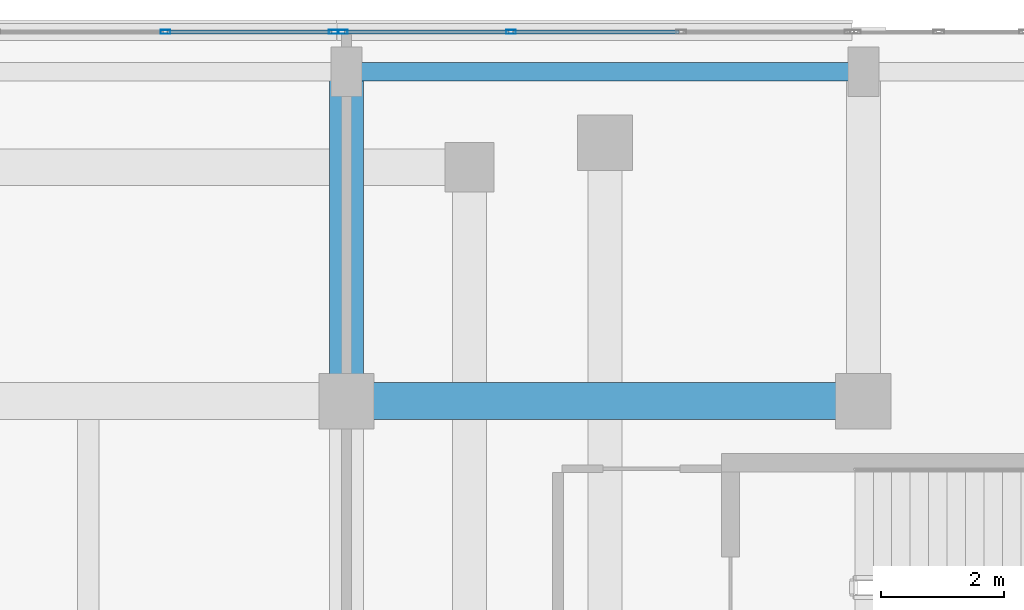
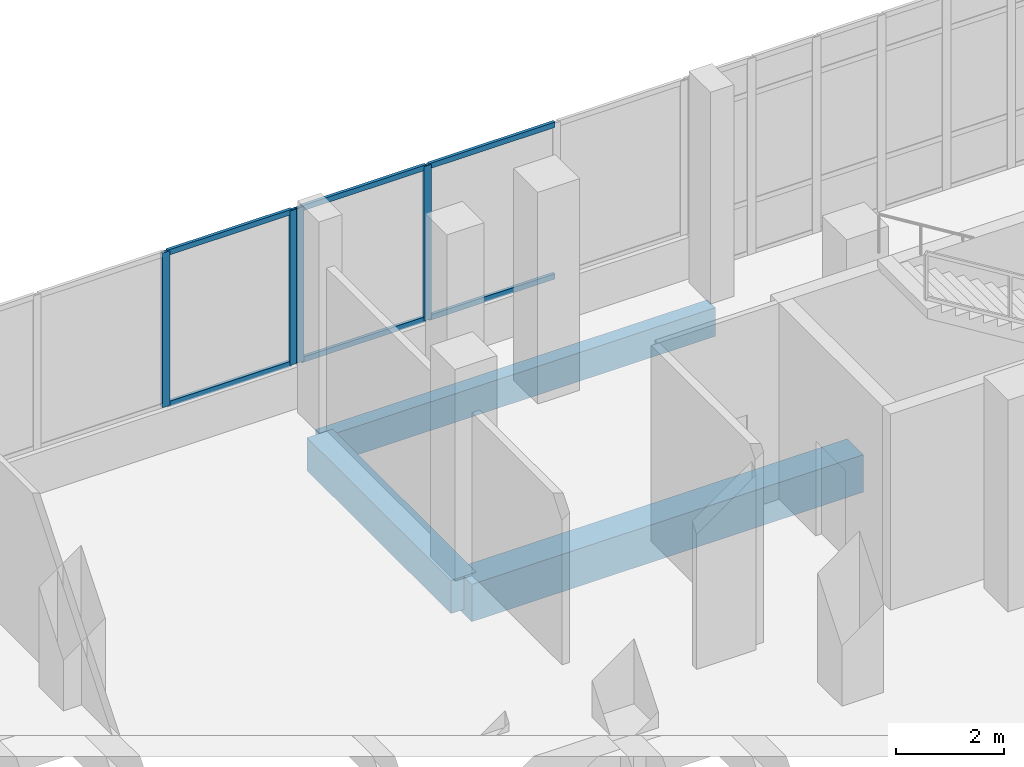
# One storey, part 93 of 168: 10 members, 3 beams, 2 elements without a shape of their own.
"""IFC4 building model written with IfcOpenShell, lengths in metres."""

from ifc_helpers import new_model, si_unit, direction, frame, origin, origin_2d, place, context, subcontext, project, spatial, rectangle, hollow_rectangle, extrude, material, material_profile, profile_set, type_object, element, aggregate, save


model = new_model("IFC4")

# Units and contexts
model_context = context("Model", 3, precision=1e-05, world=origin(), true_north=direction((0.0, 1.0)))
body_context = subcontext(model_context, "Body", "Model", "MODEL_VIEW")
ifc_project = project(units=[si_unit("LENGTHUNIT", "METRE"), si_unit("AREAUNIT", "SQUARE_METRE"), si_unit("VOLUMEUNIT", "CUBIC_METRE"), si_unit("PLANEANGLEUNIT", "RADIAN"), si_unit("MASSUNIT", "GRAM", prefix="KILO")], contexts=[model_context])

# Site, building, storey
site_placement = place(None, origin())
site = spatial("IfcSite", under=ifc_project, at=site_placement, CompositionType="ELEMENT")
building_placement = place(site_placement, origin())
building = spatial("IfcBuilding", under=site, at=building_placement, Name="Selatvlak General Hospital", CompositionType="ELEMENT")
storey_placement = place(building_placement, frame((0.0, 0.0, 5.39990234375)))
storey = spatial("IfcBuildingStorey", under=building, at=storey_placement, Name="L01", CompositionType="ELEMENT", Elevation=5.39990234375)

# Beams
ifc_material_1 = material(Name="Concrete C40/50", Category="concrete")
ifc_material_profile_1 = material_profile(ifc_material_1, rectangle(XDim=0.60009765625, YDim=0.85009765625, at=origin_2d()), Name="RC-BM 600x850")
ifc_profile_set_1 = profile_set([ifc_material_profile_1], Name="Concrete C40/50")
beam_type_1 = type_object("IfcBeamType", Name="BM-G01", PredefinedType="BEAM", material=ifc_profile_set_1)
beam_1_placement = place(storey_placement, frame((81.60009765625, 114.0, -0.744873046875), z_axis=(1.0, 0.0, 0.0), x_axis=(0.0, 1.0, 0.0)))
element("IfcBeam", 1, at=beam_1_placement, inside=storey, type_object=beam_type_1, Name="Beam BMR-L01-0517", PredefinedType="BEAM", context=body_context, shape_type="SweptSolid", body=[
    extrude(rectangle(XDim=0.60009765625, YDim=0.85009765625, at=origin_2d()), origin(), (0.0, 0.0, 1.0), 8.39990234375),
])
ifc_material_profile_2 = material_profile(ifc_material_1, rectangle(XDim=0.550048828125, YDim=0.75, at=origin_2d()), Name="RC-BM 550x750")
ifc_profile_set_2 = profile_set([ifc_material_profile_2], Name="Concrete C40/50")
beam_type_2 = type_object("IfcBeamType", Name="BM-G02", PredefinedType="BEAM", material=ifc_profile_set_2)
beam_2_placement = place(storey_placement, frame((81.60009765625, 114.0, -0.69482421875), z_axis=(0.0, 1.0, 0.0), x_axis=(-1.0, 0.0, 0.0)))
element("IfcBeam", 2, at=beam_2_placement, inside=storey, type_object=beam_type_2, Name="Beam BMR-L01-0601", PredefinedType="BEAM", context=body_context, shape_type="SweptSolid", body=[
    extrude(rectangle(XDim=0.550048828125, YDim=0.75, at=origin_2d()), origin(), (0.0, 0.0, 1.0), 5.35009765625),
])
ifc_material_profile_3 = material_profile(ifc_material_1, rectangle(XDim=0.300048828125, YDim=0.64990234375, at=origin_2d()), Name="RC-SP 300x650")
ifc_profile_set_3 = profile_set([ifc_material_profile_3], Name="Concrete C40/50")
beam_type_3 = type_object("IfcBeamType", Name="BM-SP1", PredefinedType="SPANDREL", material=ifc_profile_set_3)
beam_3_placement = place(storey_placement, frame((81.60009765625, 119.35009765625, -0.64501953125), z_axis=(1.0, 0.0, 0.0), x_axis=(0.0, 1.0, 0.0)))
element("IfcBeam", 3, at=beam_3_placement, inside=storey, type_object=beam_type_3, Name="Beam BMR-L01-0530", PredefinedType="SPANDREL", context=body_context, shape_type="SweptSolid", body=[
    extrude(rectangle(XDim=0.300048828125, YDim=0.64990234375, at=origin_2d()), origin(), (0.0, 0.0, 1.0), 8.39990234375),
])

# Curtain wall, members
ifc_material_2 = material(Name="Solar-control Low-E double glazing", Category="glass")
curtain_wall_type_1 = type_object("IfcCurtainWallType", Name="CW-CW-02", PredefinedType="USERDEFINED", material=ifc_material_2)
curtain_wall_1_placement = place(storey_placement, origin())
curtain_wall_1 = element("IfcCurtainWall", 4, at=curtain_wall_1_placement, inside=storey, type_object=curtain_wall_type_1, Name="Glazed facade curtain wall CW-L01-0119", ObjectType="UNITISED CURTAIN WALL", PredefinedType="USERDEFINED")
ifc_material_3 = material(Name="Dark anodised aluminium mullion", Category="aluminium")
ifc_material_profile_4 = material_profile(ifc_material_3, hollow_rectangle(XDim=0.06494140625, YDim=0.159912109375, WallThickness=0.00390625, at=origin_2d()), Name="AL-MUL 65x160x4")
ifc_profile_set_4 = profile_set([ifc_material_profile_4], Name="Dark anodised aluminium mullion")
member_type_1 = type_object("IfcMemberType", Name="CWM-01", PredefinedType="MULLION", material=ifc_profile_set_4)
member_1_placement = place(storey_placement, frame((78.658447265625, 119.9990234375, 0.940185546875), z_axis=(0.0, 0.0, 1.0), x_axis=(0.0, 1.0, 0.0)))
member_1 = element("IfcMember", 5, at=member_1_placement, type_object=member_type_1, Name="CW-02 mullion 3", PredefinedType="MULLION", context=body_context, shape_type="SweptSolid", body=[
    extrude(hollow_rectangle(XDim=0.06494140625, YDim=0.159912109375, WallThickness=0.00390625, at=origin_2d()), origin(), (0.0, 0.0, 1.0), 3.5048828125),
])
member_2_placement = place(storey_placement, frame((81.392578125, 119.9990234375, 0.940185546875), z_axis=(0.0, 0.0, 1.0), x_axis=(0.0, 1.0, 0.0)))
member_2 = element("IfcMember", 6, at=member_2_placement, type_object=member_type_1, Name="CW-02 mullion 4", PredefinedType="MULLION", context=body_context, shape_type="SweptSolid", body=[
    extrude(hollow_rectangle(XDim=0.06494140625, YDim=0.159912109375, WallThickness=0.00390625, at=origin_2d()), origin(), (0.0, 0.0, 1.0), 3.5048828125),
])

curtain_wall_type_2 = type_object("IfcCurtainWallType", Name="CW-CW-01", PredefinedType="USERDEFINED", material=ifc_material_2)
curtain_wall_2_placement = place(storey_placement, origin())
curtain_wall_2 = element("IfcCurtainWall", 7, at=curtain_wall_2_placement, inside=storey, type_object=curtain_wall_type_2, Name="Glazed facade curtain wall CW-L01-0120", ObjectType="UNITISED CURTAIN WALL", PredefinedType="USERDEFINED")
member_3_placement = place(storey_placement, frame((81.53759765625, 119.9990234375, 0.940185546875), z_axis=(0.0, 0.0, 1.0), x_axis=(0.0, 1.0, 0.0)))
member_3 = element("IfcMember", 8, at=member_3_placement, type_object=member_type_1, Name="CW-01 mullion 1", PredefinedType="MULLION", context=body_context, shape_type="SweptSolid", body=[
    extrude(hollow_rectangle(XDim=0.06494140625, YDim=0.159912109375, WallThickness=0.00390625, at=origin_2d()), origin(), (0.0, 0.0, 1.0), 3.5048828125),
])
member_4_placement = place(storey_placement, frame((84.271728515625, 119.9990234375, 0.940185546875), z_axis=(0.0, 0.0, 1.0), x_axis=(0.0, 1.0, 0.0)))
member_4 = element("IfcMember", 9, at=member_4_placement, type_object=member_type_1, Name="CW-01 mullion 2", PredefinedType="MULLION", context=body_context, shape_type="SweptSolid", body=[
    extrude(hollow_rectangle(XDim=0.06494140625, YDim=0.159912109375, WallThickness=0.00390625, at=origin_2d()), origin(), (0.0, 0.0, 1.0), 3.5048828125),
])

# Member
ifc_material_profile_5 = material_profile(ifc_material_3, hollow_rectangle(XDim=0.06494140625, YDim=0.1201171875, WallThickness=0.00390625, at=origin_2d()), Name="AL-TRN 65x120x4")
ifc_profile_set_5 = profile_set([ifc_material_profile_5], Name="Dark anodised aluminium mullion")
member_type_2 = type_object("IfcMemberType", Name="CWT-01", PredefinedType="USERDEFINED", material=ifc_profile_set_5)
member_5_placement = place(storey_placement, frame((78.69091796875, 119.9990234375, 0.97265625), z_axis=(1.0, 0.0, 0.0), x_axis=(0.0, 1.0, 0.0)))
member_5 = element("IfcMember", 10, at=member_5_placement, type_object=member_type_2, Name="CW-02 transom 3.1", ObjectType="TRANSOM", PredefinedType="USERDEFINED", context=body_context, shape_type="SweptSolid", body=[
    extrude(hollow_rectangle(XDim=0.06494140625, YDim=0.1201171875, WallThickness=0.00390625, at=origin_2d()), origin(), (0.0, 0.0, 1.0), 2.669189453125),
])

member_6_placement = place(storey_placement, frame((78.69091796875, 119.9990234375, 4.41259765625), z_axis=(1.0, 0.0, 0.0), x_axis=(0.0, 1.0, 0.0)))
member_6 = element("IfcMember", 11, at=member_6_placement, type_object=member_type_2, Name="CW-02 transom 3.2", ObjectType="TRANSOM", PredefinedType="USERDEFINED", context=body_context, shape_type="SweptSolid", body=[
    extrude(hollow_rectangle(XDim=0.06494140625, YDim=0.1201171875, WallThickness=0.00390625, at=origin_2d()), origin(), (0.0, 0.0, 1.0), 2.669189453125),
])

aggregate(curtain_wall_1, [member_1, member_2, member_5, member_6])

member_7_placement = place(storey_placement, frame((81.570068359375, 119.9990234375, 0.97265625), z_axis=(1.0, 0.0, 0.0), x_axis=(0.0, 1.0, 0.0)))
member_7 = element("IfcMember", 12, at=member_7_placement, type_object=member_type_2, Name="CW-01 transom 1.1", ObjectType="TRANSOM", PredefinedType="USERDEFINED", context=body_context, shape_type="SweptSolid", body=[
    extrude(hollow_rectangle(XDim=0.06494140625, YDim=0.1201171875, WallThickness=0.00390625, at=origin_2d()), origin(), (0.0, 0.0, 1.0), 2.669189453125),
])

member_8_placement = place(storey_placement, frame((81.570068359375, 119.9990234375, 4.41259765625), z_axis=(1.0, 0.0, 0.0), x_axis=(0.0, 1.0, 0.0)))
member_8 = element("IfcMember", 13, at=member_8_placement, type_object=member_type_2, Name="CW-01 transom 1.2", ObjectType="TRANSOM", PredefinedType="USERDEFINED", context=body_context, shape_type="SweptSolid", body=[
    extrude(hollow_rectangle(XDim=0.06494140625, YDim=0.1201171875, WallThickness=0.00390625, at=origin_2d()), origin(), (0.0, 0.0, 1.0), 2.669189453125),
])

member_9_placement = place(storey_placement, frame((84.30419921875, 119.9990234375, 0.97265625), z_axis=(1.0, 0.0, 0.0), x_axis=(0.0, 1.0, 0.0)))
member_9 = element("IfcMember", 14, at=member_9_placement, type_object=member_type_2, Name="CW-01 transom 2.1", ObjectType="TRANSOM", PredefinedType="USERDEFINED", context=body_context, shape_type="SweptSolid", body=[
    extrude(hollow_rectangle(XDim=0.06494140625, YDim=0.1201171875, WallThickness=0.00390625, at=origin_2d()), origin(), (0.0, 0.0, 1.0), 2.70166015625),
])

member_10_placement = place(storey_placement, frame((84.30419921875, 119.9990234375, 4.41259765625), z_axis=(1.0, 0.0, 0.0), x_axis=(0.0, 1.0, 0.0)))
member_10 = element("IfcMember", 15, at=member_10_placement, type_object=member_type_2, Name="CW-01 transom 2.2", ObjectType="TRANSOM", PredefinedType="USERDEFINED", context=body_context, shape_type="SweptSolid", body=[
    extrude(hollow_rectangle(XDim=0.06494140625, YDim=0.1201171875, WallThickness=0.00390625, at=origin_2d()), origin(), (0.0, 0.0, 1.0), 2.70166015625),
])

aggregate(curtain_wall_2, [member_3, member_4, member_7, member_8, member_9, member_10])

save(model, "model.ifc")
